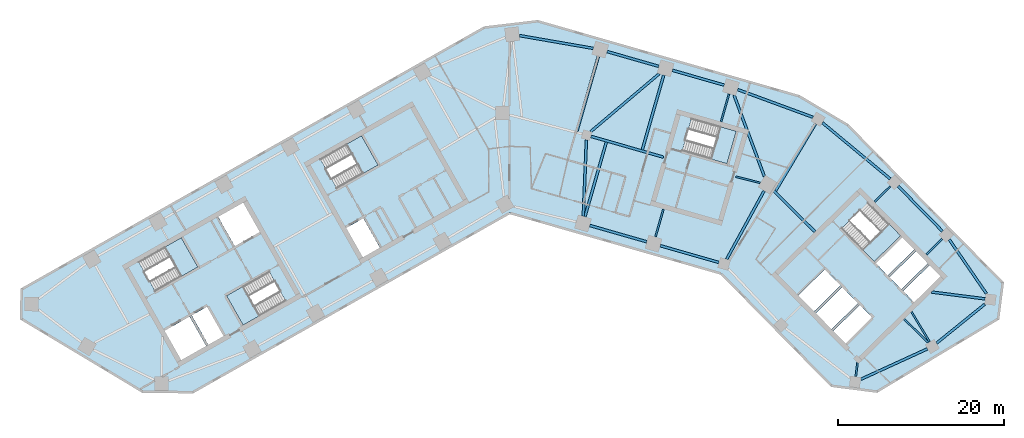
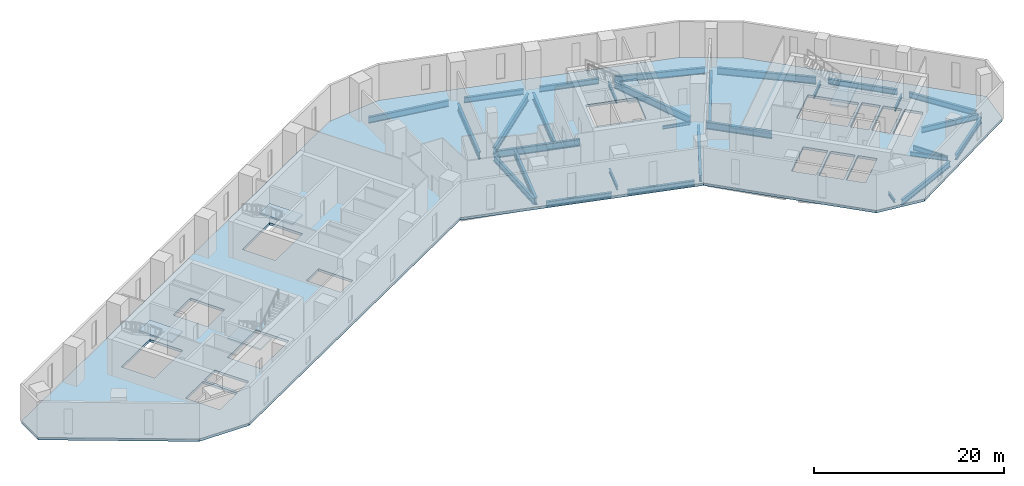
# One storey, part 2 of 10: 30 beams, 6 slabs, 5 elements without a shape of their own.
"""IFC4 building model written with IfcOpenShell, lengths in metres."""

from ifc_helpers import new_model, si_unit, direction, frame, origin, origin_2d, place, context, subcontext, project, spatial, polyline, i_section, outline, extrude, material, layer, layer_set, material_profile, profile_set, type_object, element, aggregate, save


model = new_model("IFC4")

# Units and contexts
model_context = context("Model", 3, precision=1e-05, world=origin(), true_north=direction((0.0, 1.0)))
body_context = subcontext(model_context, "Body", "Model", "MODEL_VIEW")
ifc_project = project(units=[si_unit("LENGTHUNIT", "METRE"), si_unit("AREAUNIT", "SQUARE_METRE"), si_unit("VOLUMEUNIT", "CUBIC_METRE"), si_unit("PLANEANGLEUNIT", "RADIAN"), si_unit("MASSUNIT", "GRAM", prefix="KILO")], contexts=[model_context])

# Site, building, storey
site_placement = place(None, origin())
site = spatial("IfcSite", under=ifc_project, at=site_placement, CompositionType="ELEMENT")
building_placement = place(site_placement, origin())
building = spatial("IfcBuilding", under=site, at=building_placement, Name="Binnacle Exchange Tower", CompositionType="ELEMENT")
storey_placement = place(building_placement, frame((0.0, 0.0, 81.5)))
storey = spatial("IfcBuildingStorey", under=building, at=storey_placement, Name="L16", CompositionType="ELEMENT", Elevation=81.5)

# Beams
ifc_material_1 = material(Name="Steel S355 (SHN355)", Category="steel")
ifc_material_profile_1 = material_profile(ifc_material_1, i_section(OverallWidth=0.300048828125, OverallDepth=0.699951171875, WebThickness=0.012939453125, FlangeThickness=0.02392578125, FilletRadius=0.028076171875, at=origin_2d()), Name="H 700x300x13x24")
ifc_profile_set_1 = profile_set([ifc_material_profile_1], Name="Steel S355 (SHN355)")
beam_type_1 = type_object("IfcBeamType", Name="Edge girder H 700x300x13x24 Steel S355 (SHN355)", PredefinedType="SPANDREL", material=ifc_profile_set_1)
beam_1_placement = place(storey_placement, frame((9.626708984375, 46.488037109375, -0.669921875), z_axis=(0.961260850036, -0.275640305812, 0.0), x_axis=(0.275640305812, 0.961260850036, 0.0)))
element("IfcBeam", 1, at=beam_1_placement, inside=storey, type_object=beam_type_1, Name="S:BM:edge:L16:030", PredefinedType="SPANDREL", context=body_context, shape_type="SweptSolid", body=[
    extrude(i_section(OverallWidth=0.300048828125, OverallDepth=0.699951171875, WebThickness=0.012939453125, FlangeThickness=0.02392578125, FilletRadius=0.028076171875, at=origin_2d()), origin(), (0.0, 0.0, 1.0), 7.120361328125),
])
beam_2_placement = place(storey_placement, frame((17.92919921875, 65.610595703125, -0.669921875), z_axis=(-0.961261624999, 0.275637603213, 0.0), x_axis=(-0.275637603213, -0.961261624999, 0.0)))
element("IfcBeam", 2, at=beam_2_placement, inside=storey, type_object=beam_type_1, Name="S:BM:edge:L16:032", PredefinedType="SPANDREL", context=body_context, shape_type="SweptSolid", body=[
    extrude(i_section(OverallWidth=0.300048828125, OverallDepth=0.699951171875, WebThickness=0.012939453125, FlangeThickness=0.02392578125, FilletRadius=0.028076171875, at=origin_2d()), origin(), (0.0, 0.0, 1.0), 6.472900390625),
])
beam_3_placement = place(storey_placement, frame((18.105224609375, 44.056884765625, -0.669921875), z_axis=(0.96126047873, -0.275641600691, 0.0), x_axis=(0.275641600691, 0.96126047873, 0.0)))
element("IfcBeam", 3, at=beam_3_placement, inside=storey, type_object=beam_type_1, Name="S:BM:edge:L16:033", PredefinedType="SPANDREL", context=body_context, shape_type="SweptSolid", body=[
    extrude(i_section(OverallWidth=0.300048828125, OverallDepth=0.699951171875, WebThickness=0.012939453125, FlangeThickness=0.02392578125, FilletRadius=0.028076171875, at=origin_2d()), origin(), (0.0, 0.0, 1.0), 7.320556640625),
])
beam_4_placement = place(storey_placement, frame((25.78564453125, 63.35791015625, -0.669921875), z_axis=(-0.961271618025, 0.275602751036, 0.0), x_axis=(-0.275602751036, -0.961271618025, 0.0)))
element("IfcBeam", 4, at=beam_4_placement, inside=storey, type_object=beam_type_1, Name="S:BM:edge:L16:034", PredefinedType="SPANDREL", context=body_context, shape_type="SweptSolid", body=[
    extrude(i_section(OverallWidth=0.300048828125, OverallDepth=0.699951171875, WebThickness=0.012939453125, FlangeThickness=0.02392578125, FilletRadius=0.028076171875, at=origin_2d()), origin(), (0.0, 0.0, 1.0), 6.472900390625),
])
beam_5_placement = place(storey_placement, frame((51.322265625, 32.343505859375, -0.669921875), z_axis=(0.777568489665, 0.628798253719, 0.0), x_axis=(-0.628798253719, 0.777568489665, 0.0)))
element("IfcBeam", 5, at=beam_5_placement, inside=storey, type_object=beam_type_1, Name="S:BM:edge:L16:040", PredefinedType="SPANDREL", context=body_context, shape_type="SweptSolid", body=[
    extrude(i_section(OverallWidth=0.300048828125, OverallDepth=0.699951171875, WebThickness=0.012939453125, FlangeThickness=0.02392578125, FilletRadius=0.028076171875, at=origin_2d()), origin(), (0.0, 0.0, 1.0), 7.428955078125),
])
beam_6_placement = place(storey_placement, frame((52.010986328125, 45.802978515625, -0.669921875), z_axis=(-0.700905226564, 0.713254417004, 0.0), x_axis=(-0.713254417004, -0.700905226564, 0.0)))
element("IfcBeam", 6, at=beam_6_placement, inside=storey, type_object=beam_type_1, Name="S:BM:edge:L16:041", PredefinedType="SPANDREL", context=body_context, shape_type="SweptSolid", body=[
    extrude(i_section(OverallWidth=0.300048828125, OverallDepth=0.699951171875, WebThickness=0.012939453125, FlangeThickness=0.02392578125, FilletRadius=0.028076171875, at=origin_2d()), origin(), (0.0, 0.0, 1.0), 7.57177734375),
])
beam_7_placement = place(storey_placement, frame((57.305419921875, 38.299072265625, -0.669921875), z_axis=(-0.566409202341, 0.82412415054, 0.0), x_axis=(-0.82412415054, -0.566409202341, 0.0)))
element("IfcBeam", 7, at=beam_7_placement, inside=storey, type_object=beam_type_1, Name="S:BM:edge:L16:042", PredefinedType="SPANDREL", context=body_context, shape_type="SweptSolid", body=[
    extrude(i_section(OverallWidth=0.300048828125, OverallDepth=0.699951171875, WebThickness=0.012939453125, FlangeThickness=0.02392578125, FilletRadius=0.028076171875, at=origin_2d()), origin(), (0.0, 0.0, 1.0), 7.8828125),
])
ifc_material_profile_2 = material_profile(ifc_material_1, i_section(OverallWidth=0.302001953125, OverallDepth=0.7080078125, WebThickness=0.014892578125, FlangeThickness=0.028076171875, FilletRadius=0.028076171875, at=origin_2d()), Name="H 708x302x15x28")
ifc_profile_set_2 = profile_set([ifc_material_profile_2], Name="Steel S355 (SHN355)")
beam_type_2 = type_object("IfcBeamType", Name="Edge girder H 708x302x15x28 Steel S355 (SHN355)", PredefinedType="SPANDREL", material=ifc_profile_set_2)
beam_8_placement = place(storey_placement, frame((42.215576171875, 27.99365234375, -0.674072265625), z_axis=(0.909179052108, 0.416405392866, 0.0), x_axis=(-0.416405392866, 0.909179052108, 0.0)))
element("IfcBeam", 8, at=beam_8_placement, inside=storey, type_object=beam_type_2, Name="S:BM:edge:L16:038", PredefinedType="SPANDREL", context=body_context, shape_type="SweptSolid", body=[
    extrude(i_section(OverallWidth=0.302001953125, OverallDepth=0.7080078125, WebThickness=0.014892578125, FlangeThickness=0.028076171875, FilletRadius=0.028076171875, at=origin_2d()), origin(), (0.0, 0.0, 1.0), 8.801025390625),
])
ifc_material_profile_3 = material_profile(ifc_material_1, i_section(OverallWidth=0.300048828125, OverallDepth=0.800048828125, WebThickness=0.013916015625, FlangeThickness=0.02587890625, FilletRadius=0.028076171875, at=origin_2d()), Name="H 800x300x14x26")
ifc_profile_set_3 = profile_set([ifc_material_profile_3], Name="Steel S355 (SHN355)")
beam_type_3 = type_object("IfcBeamType", Name="Edge girder H 800x300x14x26 Steel S355 (SHN355)", PredefinedType="SPANDREL", material=ifc_profile_set_3)
beam_9_placement = place(storey_placement, frame((10.047607421875, 67.77490234375, -0.719970703125), z_axis=(-0.985312460293, 0.17076110679, 0.0), x_axis=(-0.17076110679, -0.985312460293, 0.0)))
element("IfcBeam", 9, at=beam_9_placement, inside=storey, type_object=beam_type_3, Name="S:BM:edge:L16:031", PredefinedType="SPANDREL", context=body_context, shape_type="SweptSolid", body=[
    extrude(i_section(OverallWidth=0.300048828125, OverallDepth=0.800048828125, WebThickness=0.013916015625, FlangeThickness=0.02587890625, FilletRadius=0.028076171875, at=origin_2d()), origin(), (0.0, 0.0, 1.0), 9.005859375),
])
ifc_material_profile_4 = material_profile(ifc_material_1, i_section(OverallWidth=0.302001953125, OverallDepth=0.80810546875, WebThickness=0.01611328125, FlangeThickness=0.030029296875, FilletRadius=0.028076171875, at=origin_2d()), Name="H 808x302x16x30")
ifc_profile_set_4 = profile_set([ifc_material_profile_4], Name="Steel S355 (SHN355)")
beam_type_4 = type_object("IfcBeamType", Name="Edge girder H 808x302x16x30 Steel S355 (SHN355)", PredefinedType="SPANDREL", material=ifc_profile_set_4)
beam_10_placement = place(storey_placement, frame((36.464599609375, 59.490966796875, -0.72412109375), z_axis=(-0.938368148393, 0.345637408395, 0.0), x_axis=(-0.345637408395, -0.938368148393, 0.0)))
element("IfcBeam", 10, at=beam_10_placement, inside=storey, type_object=beam_type_4, Name="S:BM:edge:L16:037", PredefinedType="SPANDREL", context=body_context, shape_type="SweptSolid", body=[
    extrude(i_section(OverallWidth=0.302001953125, OverallDepth=0.80810546875, WebThickness=0.01611328125, FlangeThickness=0.030029296875, FilletRadius=0.028076171875, at=origin_2d()), origin(), (0.0, 0.0, 1.0), 9.6572265625),
])
ifc_material_profile_5 = material_profile(ifc_material_1, i_section(OverallWidth=0.300048828125, OverallDepth=0.89990234375, WebThickness=0.01611328125, FlangeThickness=0.028076171875, FilletRadius=0.028076171875, at=origin_2d()), Name="H 900x300x16x28")
ifc_profile_set_5 = profile_set([ifc_material_profile_5], Name="Steel S355 (SHN355)")
beam_type_5 = type_object("IfcBeamType", Name="Edge girder H 900x300x16x28 Steel S355 (SHN355)", PredefinedType="SPANDREL", material=ifc_profile_set_5)
beam_11_placement = place(storey_placement, frame((45.7451171875, 52.084228515625, -0.77001953125), z_axis=(-0.769906025895, 0.638157277864, 0.0), x_axis=(-0.638157277864, -0.769906025895, 0.0)))
element("IfcBeam", 11, at=beam_11_placement, inside=storey, type_object=beam_type_5, Name="S:BM:edge:L16:039", PredefinedType="SPANDREL", context=body_context, shape_type="SweptSolid", body=[
    extrude(i_section(OverallWidth=0.300048828125, OverallDepth=0.89990234375, WebThickness=0.01611328125, FlangeThickness=0.028076171875, FilletRadius=0.028076171875, at=origin_2d()), origin(), (0.0, 0.0, 1.0), 10.59033203125),
])
ifc_material_profile_6 = material_profile(ifc_material_1, i_section(OverallWidth=0.199951171875, OverallDepth=0.39990234375, WebThickness=0.008056640625, FlangeThickness=0.012939453125, FilletRadius=0.01611328125, at=origin_2d()), Name="H 400x200x8x13")
ifc_profile_set_6 = profile_set([ifc_material_profile_6], Name="Steel S355 (SHN355)")
beam_type_6 = type_object("IfcBeamType", Name="Floor beam H 400x200x8x13 Steel S355 (SHN355)", PredefinedType="BEAM", material=ifc_profile_set_6)
beam_12_placement = place(storey_placement, frame((41.601806640625, 28.319580078125, -0.52001953125), z_axis=(0.126197116971, 0.992005185303, 0.0), x_axis=(-0.992005185303, 0.126197116971, 0.0)))
element("IfcBeam", 12, at=beam_12_placement, inside=storey, type_object=beam_type_6, Name="S:BM:cross:L16:063", PredefinedType="BEAM", context=body_context, shape_type="SweptSolid", body=[
    extrude(i_section(OverallWidth=0.199951171875, OverallDepth=0.39990234375, WebThickness=0.008056640625, FlangeThickness=0.012939453125, FilletRadius=0.01611328125, at=origin_2d()), origin(), (0.0, 0.0, 1.0), 1.68115234375),
])
ifc_material_profile_7 = material_profile(ifc_material_1, i_section(OverallWidth=0.199951171875, OverallDepth=0.449951171875, WebThickness=0.009033203125, FlangeThickness=0.013916015625, FilletRadius=0.01806640625, at=origin_2d()), Name="H 450x200x9x14")
ifc_profile_set_7 = profile_set([ifc_material_profile_7], Name="Steel S355 (SHN355)")
beam_type_7 = type_object("IfcBeamType", Name="Floor beam H 450x200x9x14 Steel S355 (SHN355)", PredefinedType="BEAM", material=ifc_profile_set_7)
for number, where, z_axis, x_axis, name in (
    (13, (45.78466796875, 51.211669921875, -0.544921875), (-0.713299272232, -0.700859578113, 0.0), (0.700859578113, -0.713299272232, 0.0), "S:BM:cross:L16:064"),
    (14, (52.003173828125, 44.8837890625, -0.544921875), (-0.713254209224, -0.700905438004, 0.0), (0.700905438004, -0.713254209224, 0.0), "S:BM:cross:L16:066"),
):
    element("IfcBeam", number, at=place(storey_placement, frame(where, z_axis=z_axis, x_axis=x_axis)), inside=storey, type_object=beam_type_7, Name=name, PredefinedType="BEAM", context=body_context, shape_type="SweptSolid", body=[
        extrude(i_section(OverallWidth=0.199951171875, OverallDepth=0.449951171875, WebThickness=0.009033203125, FlangeThickness=0.013916015625, FilletRadius=0.01806640625, at=origin_2d()), origin(), (0.0, 0.0, 1.0), 2.70849609375),
    ])
ifc_material_profile_8 = material_profile(ifc_material_1, i_section(OverallWidth=0.200927734375, OverallDepth=0.506103515625, WebThickness=0.010986328125, FlangeThickness=0.01904296875, FilletRadius=0.02001953125, at=origin_2d()), Name="H 506x201x11x19")
ifc_profile_set_8 = profile_set([ifc_material_profile_8], Name="Steel S355 (SHN355)")
beam_type_8 = type_object("IfcBeamType", Name="Floor beam H 506x201x11x19 Steel S355 (SHN355)", PredefinedType="BEAM", material=ifc_profile_set_8)
for number, where, z_axis, x_axis, name in (
    (15, (17.5224609375, 45.108154296875, -0.572998046875), (0.275655468279, 0.961256502089, 0.0), (-0.961256502089, 0.275655468279, 0.0), "S:BM:cross:L16:058"),
    (16, (26.368408203125, 62.306396484375, -0.572998046875), (-0.275655468279, -0.961256502089, 0.0), (0.961256502089, -0.275655468279, 0.0), "S:BM:cross:L16:060"),
):
    element("IfcBeam", number, at=place(storey_placement, frame(where, z_axis=z_axis, x_axis=x_axis)), inside=storey, type_object=beam_type_8, Name=name, PredefinedType="BEAM", context=body_context, shape_type="SweptSolid", body=[
        extrude(i_section(OverallWidth=0.200927734375, OverallDepth=0.506103515625, WebThickness=0.010986328125, FlangeThickness=0.01904296875, FilletRadius=0.02001953125, at=origin_2d()), origin(), (0.0, 0.0, 1.0), 3.485107421875),
    ])
ifc_material_profile_9 = material_profile(ifc_material_1, i_section(OverallWidth=0.199951171875, OverallDepth=0.60009765625, WebThickness=0.010986328125, FlangeThickness=0.01708984375, FilletRadius=0.02197265625, at=origin_2d()), Name="H 600x200x11x17")
ifc_profile_set_9 = profile_set([ifc_material_profile_9], Name="Steel S355 (SHN355)")
beam_type_9 = type_object("IfcBeamType", Name="Floor beam H 600x200x11x17 Steel S355 (SHN355)", PredefinedType="BEAM", material=ifc_profile_set_9)
beam_13_placement = place(storey_placement, frame((50.477294921875, 32.488037109375, -0.6201171875), z_axis=(-0.515057466438, 0.857155648798, 0.0), x_axis=(-0.857155648798, -0.515057466438, 0.0)))
element("IfcBeam", 17, at=beam_13_placement, inside=storey, type_object=beam_type_9, Name="S:BM:cross:L16:065", PredefinedType="BEAM", context=body_context, shape_type="SweptSolid", body=[
    extrude(i_section(OverallWidth=0.199951171875, OverallDepth=0.60009765625, WebThickness=0.010986328125, FlangeThickness=0.01708984375, FilletRadius=0.02197265625, at=origin_2d()), origin(), (0.0, 0.0, 1.0), 4.2177734375),
])
ifc_material_profile_10 = material_profile(ifc_material_1, i_section(OverallWidth=0.300048828125, OverallDepth=0.699951171875, WebThickness=0.012939453125, FlangeThickness=0.02392578125, FilletRadius=0.028076171875, at=origin_2d()), Name="H 700x300x13x24")
ifc_profile_set_10 = profile_set([ifc_material_profile_10], Name="Steel S355 (SHN355)")
beam_type_10 = type_object("IfcBeamType", Name="Floor beam H 700x300x13x24 Steel S355 (SHN355)", PredefinedType="BEAM", material=ifc_profile_set_10)
beam_14_placement = place(storey_placement, frame((57.154296875, 37.6630859375, -0.669921875), z_axis=(-0.992006658356, 0.126185537116, 0.0), x_axis=(-0.126185537116, -0.992006658356, 0.0)))
element("IfcBeam", 18, at=beam_14_placement, inside=storey, type_object=beam_type_10, Name="S:BM:cross:L16:067", PredefinedType="BEAM", context=body_context, shape_type="SweptSolid", body=[
    extrude(i_section(OverallWidth=0.300048828125, OverallDepth=0.699951171875, WebThickness=0.012939453125, FlangeThickness=0.02392578125, FilletRadius=0.028076171875, at=origin_2d()), origin(), (0.0, 0.0, 1.0), 6.4814453125),
])
ifc_material_profile_11 = material_profile(ifc_material_1, i_section(OverallWidth=0.302978515625, OverallDepth=0.91796875, WebThickness=0.01904296875, FlangeThickness=0.037109375, FilletRadius=0.028076171875, at=origin_2d()), Name="H 918x303x19x37")
ifc_profile_set_11 = profile_set([ifc_material_profile_11], Name="Steel S355 (SHN355)")
beam_type_11 = type_object("IfcBeamType", Name="Floor beam H 918x303x19x37 Steel S355 (SHN355)", PredefinedType="BEAM", material=ifc_profile_set_11)
beam_15_placement = place(storey_placement, frame((9.043701171875, 47.539306640625, -0.779052734375), z_axis=(0.275646698205, 0.961259017003, 0.0), x_axis=(-0.961259017003, 0.275646698205, 0.0)))
element("IfcBeam", 19, at=beam_15_placement, inside=storey, type_object=beam_type_11, Name="S:BM:cross:L16:056", PredefinedType="BEAM", context=body_context, shape_type="SweptSolid", body=[
    extrude(i_section(OverallWidth=0.302978515625, OverallDepth=0.91796875, WebThickness=0.01904296875, FlangeThickness=0.037109375, FilletRadius=0.028076171875, at=origin_2d()), origin(), (0.0, 0.0, 1.0), 9.335205078125),
])
beam_16_placement = place(storey_placement, frame((10.65576171875, 66.81201171875, -0.779052734375), z_axis=(-0.275626703457, -0.961264750389, 0.0), x_axis=(0.961264750389, -0.275626703457, 0.0)))
element("IfcBeam", 20, at=beam_16_placement, inside=storey, type_object=beam_type_11, Name="S:BM:cross:L16:057", PredefinedType="BEAM", context=body_context, shape_type="SweptSolid", body=[
    extrude(i_section(OverallWidth=0.302978515625, OverallDepth=0.91796875, WebThickness=0.01904296875, FlangeThickness=0.037109375, FilletRadius=0.028076171875, at=origin_2d()), origin(), (0.0, 0.0, 1.0), 9.363525390625),
])
beam_17_placement = place(storey_placement, frame((18.511962890625, 64.55908203125, -0.779052734375), z_axis=(-0.275629461812, -0.961263959473, 0.0), x_axis=(0.961263959473, -0.275629461812, 0.0)))
element("IfcBeam", 21, at=beam_17_placement, inside=storey, type_object=beam_type_11, Name="S:BM:cross:L16:059", PredefinedType="BEAM", context=body_context, shape_type="SweptSolid", body=[
    extrude(i_section(OverallWidth=0.302978515625, OverallDepth=0.91796875, WebThickness=0.01904296875, FlangeThickness=0.037109375, FilletRadius=0.028076171875, at=origin_2d()), origin(), (0.0, 0.0, 1.0), 9.3349609375),
])
beam_18_placement = place(storey_placement, frame((36.752685546875, 58.703857421875, -0.779052734375), z_axis=(-0.511298188751, -0.859403375709, 0.0), x_axis=(0.859403375709, -0.511298188751, 0.0)))
element("IfcBeam", 22, at=beam_18_placement, inside=storey, type_object=beam_type_11, Name="S:BM:cross:L16:062", PredefinedType="BEAM", context=body_context, shape_type="SweptSolid", body=[
    extrude(i_section(OverallWidth=0.302978515625, OverallDepth=0.91796875, WebThickness=0.01904296875, FlangeThickness=0.037109375, FilletRadius=0.028076171875, at=origin_2d()), origin(), (0.0, 0.0, 1.0), 9.385986328125),
])
ifc_material_profile_12 = material_profile(ifc_material_1, i_section(OverallWidth=0.199951171875, OverallDepth=0.39990234375, WebThickness=0.008056640625, FlangeThickness=0.012939453125, FilletRadius=0.01611328125, at=origin_2d()), Name="H 400x200x8x13")
ifc_profile_set_12 = profile_set([ifc_material_profile_12], Name="Steel S355 (SHN355)")
beam_type_12 = type_object("IfcBeamType", Name="Spine girder H 400x200x8x13 Steel S355 (SHN355)", PredefinedType="BEAM", material=ifc_profile_set_12)
beam_19_placement = place(storey_placement, frame((27.17138671875, 52.35400390625, -0.52001953125), z_axis=(0.969359627701, -0.245645908136, 0.0), x_axis=(0.245645908136, 0.969359627701, 0.0)))
element("IfcBeam", 23, at=beam_19_placement, inside=storey, type_object=beam_type_12, Name="S:BM:spine:L16:010", PredefinedType="BEAM", context=body_context, shape_type="SweptSolid", body=[
    extrude(i_section(OverallWidth=0.199951171875, OverallDepth=0.39990234375, WebThickness=0.008056640625, FlangeThickness=0.012939453125, FilletRadius=0.01611328125, at=origin_2d()), origin(), (0.0, 0.0, 1.0), 3.046142578125),
])
ifc_material_profile_13 = material_profile(ifc_material_1, i_section(OverallWidth=0.200927734375, OverallDepth=0.506103515625, WebThickness=0.010986328125, FlangeThickness=0.01904296875, FilletRadius=0.02001953125, at=origin_2d()), Name="H 506x201x11x19")
ifc_profile_set_13 = profile_set([ifc_material_profile_13], Name="Steel S355 (SHN355)")
beam_type_13 = type_object("IfcBeamType", Name="Spine girder H 506x201x11x19 Steel S355 (SHN355)", PredefinedType="BEAM", material=ifc_profile_set_13)
beam_20_placement = place(storey_placement, frame((47.417236328125, 35.23095703125, -0.572998046875), z_axis=(0.717013275689, -0.697059511437, 0.0), x_axis=(0.697059511437, 0.717013275689, 0.0)))
element("IfcBeam", 24, at=beam_20_placement, inside=storey, type_object=beam_type_13, Name="S:BM:spine:L16:014", PredefinedType="BEAM", context=body_context, shape_type="SweptSolid", body=[
    extrude(i_section(OverallWidth=0.200927734375, OverallDepth=0.506103515625, WebThickness=0.010986328125, FlangeThickness=0.01904296875, FilletRadius=0.02001953125, at=origin_2d()), origin(), (0.0, 0.0, 1.0), 4.06201171875),
])
ifc_material_profile_14 = material_profile(ifc_material_1, i_section(OverallWidth=0.302001953125, OverallDepth=0.80810546875, WebThickness=0.01611328125, FlangeThickness=0.030029296875, FilletRadius=0.028076171875, at=origin_2d()), Name="H 808x302x16x30")
ifc_profile_set_14 = profile_set([ifc_material_profile_14], Name="Steel S355 (SHN355)")
beam_type_14 = type_object("IfcBeamType", Name="Spine girder H 808x302x16x30 Steel S355 (SHN355)", PredefinedType="BEAM", material=ifc_profile_set_14)
beam_21_placement = place(storey_placement, frame((9.218017578125, 56.78466796875, -0.72412109375), z_axis=(-0.040567083206, -0.999176817065, 0.0), x_axis=(0.999176817065, -0.040567083206, 0.0)))
element("IfcBeam", 25, at=beam_21_placement, inside=storey, type_object=beam_type_14, Name="S:BM:spine:L16:007", PredefinedType="BEAM", context=body_context, shape_type="SweptSolid", body=[
    extrude(i_section(OverallWidth=0.302001953125, OverallDepth=0.80810546875, WebThickness=0.01611328125, FlangeThickness=0.030029296875, FilletRadius=0.028076171875, at=origin_2d()), origin(), (0.0, 0.0, 1.0), 9.19580078125),
])
beam_22_placement = place(storey_placement, frame((30.580078125, 50.6396484375, -0.72412109375), z_axis=(-0.480716000085, -0.87687634662, 0.0), x_axis=(0.87687634662, -0.480716000085, 0.0)))
element("IfcBeam", 26, at=beam_22_placement, inside=storey, type_object=beam_type_14, Name="S:BM:spine:L16:011", PredefinedType="BEAM", context=body_context, shape_type="SweptSolid", body=[
    extrude(i_section(OverallWidth=0.302001953125, OverallDepth=0.80810546875, WebThickness=0.01611328125, FlangeThickness=0.030029296875, FilletRadius=0.028076171875, at=origin_2d()), origin(), (0.0, 0.0, 1.0), 9.34619140625),
])
ifc_material_profile_15 = material_profile(ifc_material_1, i_section(OverallWidth=0.302001953125, OverallDepth=0.912109375, WebThickness=0.01806640625, FlangeThickness=0.033935546875, FilletRadius=0.028076171875, at=origin_2d()), Name="H 912x302x18x34")
ifc_profile_set_15 = profile_set([ifc_material_profile_15], Name="Steel S355 (SHN355)")
beam_type_15 = type_object("IfcBeamType", Name="Spine girder H 912x302x18x34 Steel S355 (SHN355)", PredefinedType="BEAM", material=ifc_profile_set_15)
beam_23_placement = place(storey_placement, frame((9.74658203125, 57.77734375, -0.77587890625), z_axis=(0.764072930463, 0.64512987602, 0.0), x_axis=(-0.64512987602, 0.764072930463, 0.0)))
element("IfcBeam", 27, at=beam_23_placement, inside=storey, type_object=beam_type_15, Name="S:BM:spine:L16:008", PredefinedType="BEAM", context=body_context, shape_type="SweptSolid", body=[
    extrude(i_section(OverallWidth=0.302001953125, OverallDepth=0.912109375, WebThickness=0.01806640625, FlangeThickness=0.033935546875, FilletRadius=0.028076171875, at=origin_2d()), origin(), (0.0, 0.0, 1.0), 10.755615234375),
])
beam_24_placement = place(storey_placement, frame((30.614501953125, 52.389892578125, -0.77587890625), z_axis=(-0.350104624168, 0.936710602126, 0.0), x_axis=(-0.936710602126, -0.350104624168, 0.0)))
element("IfcBeam", 28, at=beam_24_placement, inside=storey, type_object=beam_type_15, Name="S:BM:spine:L16:012", PredefinedType="BEAM", context=body_context, shape_type="SweptSolid", body=[
    extrude(i_section(OverallWidth=0.302001953125, OverallDepth=0.912109375, WebThickness=0.01806640625, FlangeThickness=0.033935546875, FilletRadius=0.028076171875, at=origin_2d()), origin(), (0.0, 0.0, 1.0), 10.4013671875),
])
ifc_material_profile_16 = material_profile(ifc_material_1, i_section(OverallWidth=0.302978515625, OverallDepth=0.91796875, WebThickness=0.01904296875, FlangeThickness=0.037109375, FilletRadius=0.028076171875, at=origin_2d()), Name="H 918x303x19x37")
ifc_profile_set_16 = profile_set([ifc_material_profile_16], Name="Steel S355 (SHN355)")
beam_type_16 = type_object("IfcBeamType", Name="Spine girder H 918x303x19x37 Steel S355 (SHN355)", PredefinedType="BEAM", material=ifc_profile_set_16)
beam_25_placement = place(storey_placement, frame((9.76953125, 57.198486328125, -0.779052734375), z_axis=(0.961265329417, -0.275624684057, 0.0), x_axis=(0.275624684057, 0.961265329417, 0.0)))
element("IfcBeam", 29, at=beam_25_placement, inside=storey, type_object=beam_type_16, Name="S:BM:spine:L16:009", PredefinedType="BEAM", context=body_context, shape_type="SweptSolid", body=[
    extrude(i_section(OverallWidth=0.302978515625, OverallDepth=0.91796875, WebThickness=0.01904296875, FlangeThickness=0.037109375, FilletRadius=0.028076171875, at=origin_2d()), origin(), (0.0, 0.0, 1.0), 9.063232421875),
])
beam_26_placement = place(storey_placement, frame((31.60888671875, 50.773681640625, -0.779052734375), z_axis=(0.711013452478, -0.703178405809, 0.0), x_axis=(0.703178405809, 0.711013452478, 0.0)))
element("IfcBeam", 30, at=beam_26_placement, inside=storey, type_object=beam_type_16, Name="S:BM:spine:L16:013", PredefinedType="BEAM", context=body_context, shape_type="SweptSolid", body=[
    extrude(i_section(OverallWidth=0.302978515625, OverallDepth=0.91796875, WebThickness=0.01904296875, FlangeThickness=0.037109375, FilletRadius=0.028076171875, at=origin_2d()), origin(), (0.0, 0.0, 1.0), 7.166748046875),
])

# Slab
ifc_material_2 = material(Name="Concrete C35/45", Category="concrete")
ifc_layer_1 = layer(ifc_material_2, 0.320068359375)
ifc_layer_set_1 = layer_set([ifc_layer_1], Name="Floor slab 320 Concrete C35/45")
slab_type_1 = type_object("IfcSlabType", Name="Floor slab 320 Concrete C35/45", PredefinedType="FLOOR", material=ifc_layer_set_1)
slab_1_placement = place(storey_placement, frame((0.0, 0.0, -0.320068359375)))
element("IfcSlab", 31, at=slab_1_placement, inside=storey, type_object=slab_type_1, Name="S:SL:L16:01", PredefinedType="FLOOR", context=body_context, shape_type="SweptSolid", body=[
    extrude(outline(polyline([(59.262939453125, 39.5791015625), (58.716064453125, 35.280029296875), (44.14404296875, 26.5244140625), (38.69091796875, 27.21826171875), (25.43603515625, 40.706298828125), (0.0, 48.0), (-38.097900390625, 26.4453125), (-44.14404296875, 26.5244140625), (-58.716064453125, 35.280029296875), (-58.669921875, 38.80615234375), (-3.046142578125, 70.276611328125), (3.364501953125, 71.035400390625), (34.789794921875, 62.024169921875), (40.607421875, 58.56298828125), (59.262939453125, 39.5791015625)]), holes=[polyline([(-38.4794921875, 35.529296875), (-41.61279296875, 33.756591796875), (-39.544677734375, 30.10107421875), (-36.411376953125, 31.873779296875), (-38.4794921875, 35.529296875)]), polyline([(-34.322509765625, 33.0556640625), (-36.390625, 36.711181640625), (-38.21826171875, 35.677001953125), (-36.150146484375, 32.021484375), (-34.322509765625, 33.0556640625)]), polyline([(-34.040771484375, 38.04052734375), (-32.04638671875, 34.515625), (-26.9287109375, 37.4111328125), (-28.923095703125, 40.93603515625), (-34.040771484375, 38.04052734375)]), polyline([(-37.486572265625, 41.4912109375), (-39.480712890625, 45.01611328125), (-44.598388671875, 42.12060546875), (-42.604248046875, 38.595703125), (-37.486572265625, 41.4912109375)]), polyline([(-15.53076171875, 43.6875), (-17.598876953125, 47.343017578125), (-19.77490234375, 46.11181640625), (-17.70654296875, 42.456298828125), (-15.53076171875, 43.6875)]), polyline([(-29.914306640625, 45.775390625), (-31.982666015625, 49.430908203125), (-35.115966796875, 47.657958984375), (-33.047607421875, 44.00244140625), (-29.914306640625, 45.775390625)]), polyline([(-15.822509765625, 53.748046875), (-17.81689453125, 57.27294921875), (-22.760498046875, 54.47607421875), (-20.76611328125, 50.950927734375), (-15.822509765625, 53.748046875)]), polyline([(26.111328125, 53.9169921875), (27.227783203125, 57.810302734375), (21.864013671875, 59.348388671875), (20.74755859375, 55.455078125), (26.111328125, 53.9169921875)]), polyline([(40.268798828125, 32.201904296875), (43.549560546875, 35.426025390625), (42.07763671875, 36.923828125), (38.796875, 33.69970703125), (40.268798828125, 32.201904296875)]), polyline([(38.58642578125, 33.913818359375), (41.867431640625, 37.137939453125), (39.97509765625, 39.063720703125), (36.694091796875, 35.83935546875), (38.58642578125, 33.913818359375)]), polyline([(36.48388671875, 36.053466796875), (39.7646484375, 39.277587890625), (37.872314453125, 41.203369140625), (34.59130859375, 37.979248046875), (36.48388671875, 36.053466796875)]), polyline([(48.726806640625, 37.148681640625), (52.0078125, 40.372802734375), (50.577880859375, 41.827880859375), (47.296875, 38.603759765625), (48.726806640625, 37.148681640625)]), polyline([(47.086669921875, 38.817626953125), (50.36767578125, 42.0419921875), (48.944580078125, 43.48974609375), (45.663818359375, 40.265625), (47.086669921875, 38.817626953125)]), polyline([(45.45361328125, 40.4794921875), (48.734375, 43.703857421875), (47.3115234375, 45.151611328125), (44.030517578125, 41.927490234375), (45.45361328125, 40.4794921875)]), polyline([(43.8203125, 42.141357421875), (46.994384765625, 45.260498046875), (43.083251953125, 49.240478515625), (39.9091796875, 46.121337890625), (43.8203125, 42.141357421875)])]), origin(), (0.0, 0.0, 1.0), 0.320068359375),
])

# Stair, slab
stair_type = type_object("IfcStairType", Name="STAIR 28 RISERS 179", PredefinedType="HALF_TURN_STAIR", material=ifc_material_2)
stair_1_placement = place(storey_placement, origin())
stair_1 = element("IfcStair", 32, at=stair_1_placement, inside=storey, type_object=stair_type, Name="L16 Escape stair A1", PredefinedType="HALF_TURN_STAIR")
ifc_layer_2 = layer(ifc_material_2, 0.199951171875)
ifc_layer_set_2 = layer_set([ifc_layer_2], Name="STAIR LANDING 200")
slab_type_2 = type_object("IfcSlabType", Name="STAIR LANDING 200", PredefinedType="LANDING", material=ifc_layer_set_2)
slab_2_placement = place(storey_placement, frame((0.0, 0.0, 2.300048828125)))
slab_2 = element("IfcSlab", 33, at=slab_2_placement, type_object=slab_type_2, Name="STA1 landing 1", PredefinedType="LANDING", context=body_context, shape_type="SweptSolid", body=[
    extrude(outline(polyline([(-39.470947265625, 40.368408203125), (-37.486572265625, 41.4912109375), (-39.48095703125, 45.01611328125), (-41.46533203125, 43.893310546875), (-39.470947265625, 40.368408203125)])), origin(), (0.0, 0.0, 1.0), 0.199951171875),
])
aggregate(stair_1, [slab_2])

stair_2_placement = place(storey_placement, origin())
stair_2 = element("IfcStair", 34, at=stair_2_placement, inside=storey, type_object=stair_type, Name="L16 Escape stair A2", PredefinedType="HALF_TURN_STAIR")
slab_3_placement = place(storey_placement, frame((0.0, 0.0, 2.300048828125)))
slab_3 = element("IfcSlab", 35, at=slab_3_placement, type_object=slab_type_2, Name="STA2 landing 1", PredefinedType="LANDING", context=body_context, shape_type="SweptSolid", body=[
    extrude(outline(polyline([(-32.05615234375, 39.163330078125), (-34.040771484375, 38.04052734375), (-32.04638671875, 34.515625), (-30.06201171875, 35.638427734375), (-32.05615234375, 39.163330078125)])), origin(), (0.0, 0.0, 1.0), 0.199951171875),
])
aggregate(stair_2, [slab_3])

stair_3_placement = place(storey_placement, origin())
stair_3 = element("IfcStair", 36, at=stair_3_placement, inside=storey, type_object=stair_type, Name="L16 Escape stair B1", PredefinedType="HALF_TURN_STAIR")
slab_4_placement = place(storey_placement, frame((0.0, 0.0, 2.300048828125)))
slab_4 = element("IfcSlab", 37, at=slab_4_placement, type_object=slab_type_2, Name="STB1 landing 1", PredefinedType="LANDING", context=body_context, shape_type="SweptSolid", body=[
    extrude(outline(polyline([(42.4326171875, 43.5537109375), (43.8203125, 42.141357421875), (46.994384765625, 45.260498046875), (45.606689453125, 46.672607421875), (42.4326171875, 43.5537109375)])), origin(), (0.0, 0.0, 1.0), 0.199951171875),
])
aggregate(stair_3, [slab_4])

stair_4_placement = place(storey_placement, origin())
stair_4 = element("IfcStair", 38, at=stair_4_placement, inside=storey, type_object=stair_type, Name="L16 Escape stair C1", PredefinedType="HALF_TURN_STAIR")
slab_5_placement = place(storey_placement, frame((0.0, 0.0, 2.300048828125)))
slab_5 = element("IfcSlab", 39, at=slab_5_placement, type_object=slab_type_2, Name="STC1 landing 1", PredefinedType="LANDING", context=body_context, shape_type="SweptSolid", body=[
    extrude(outline(polyline([(-17.6328125, 52.7236328125), (-15.822509765625, 53.748046875), (-17.81689453125, 57.27294921875), (-19.627197265625, 56.248779296875), (-17.6328125, 52.7236328125)])), origin(), (0.0, 0.0, 1.0), 0.199951171875),
])
aggregate(stair_4, [slab_5])

stair_5_placement = place(storey_placement, origin())
stair_5 = element("IfcStair", 40, at=stair_5_placement, inside=storey, type_object=stair_type, Name="L16 Escape stair D1", PredefinedType="HALF_TURN_STAIR")
slab_6_placement = place(storey_placement, frame((0.0, 0.0, 2.300048828125)))
slab_6 = element("IfcSlab", 41, at=slab_6_placement, type_object=slab_type_2, Name="STD1 landing 1", PredefinedType="LANDING", context=body_context, shape_type="SweptSolid", body=[
    extrude(outline(polyline([(24.2080078125, 54.462890625), (26.111328125, 53.917236328125), (27.227783203125, 57.810302734375), (25.324462890625, 58.35595703125), (24.2080078125, 54.462890625)])), origin(), (0.0, 0.0, 1.0), 0.199951171875),
])
aggregate(stair_5, [slab_6])

save(model, "model.ifc")
